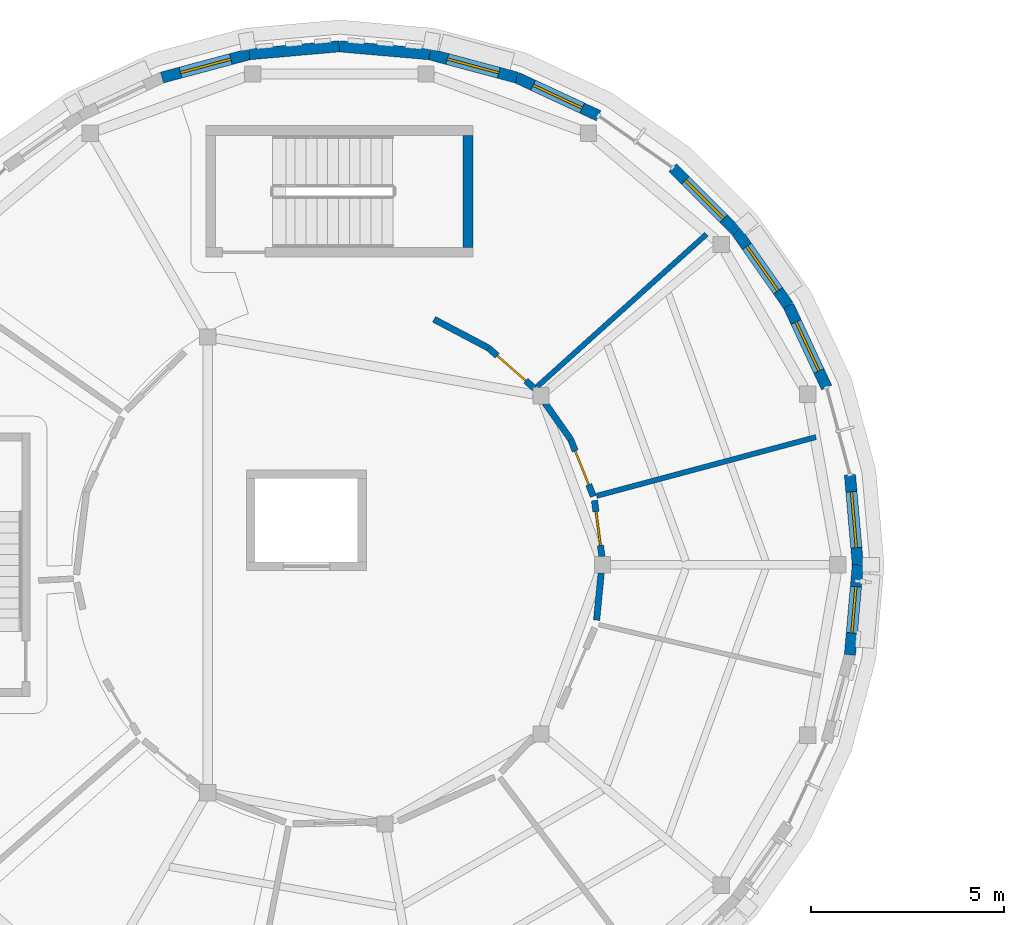
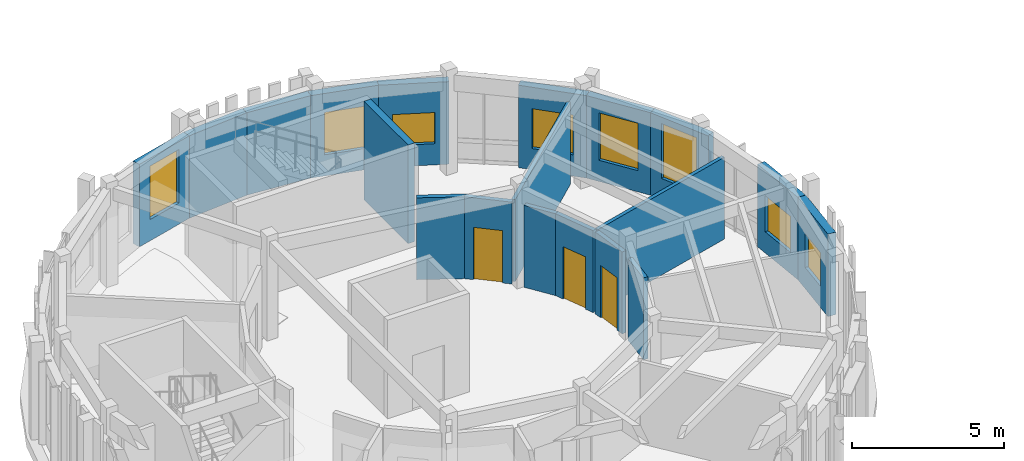
# One storey, part 52 of 80: 19 walls, 8 windows, 3 doors, 11 openings.
"""IFC4 building model written with IfcOpenShell, lengths in metres."""

from ifc_helpers import new_model, si_unit, direction, frame, frame_2d, origin, place, context, subcontext, project, spatial, rectangle, extrude, material, layer, layer_set, type_object, element, fill, save


model = new_model("IFC4")

# Units and contexts
model_context = context("Model", 3, precision=1e-05, world=origin(), true_north=direction((0.0, 1.0)))
body_context = subcontext(model_context, "Body", "Model", "MODEL_VIEW")
ifc_project = project(units=[si_unit("LENGTHUNIT", "METRE"), si_unit("AREAUNIT", "SQUARE_METRE"), si_unit("VOLUMEUNIT", "CUBIC_METRE"), si_unit("PLANEANGLEUNIT", "RADIAN"), si_unit("MASSUNIT", "GRAM", prefix="KILO")], contexts=[model_context])

# Site, building, storey
site_placement = place(None, origin())
site = spatial("IfcSite", under=ifc_project, at=site_placement, CompositionType="ELEMENT")
building_placement = place(site_placement, origin())
building = spatial("IfcBuilding", under=site, at=building_placement, Name="Aldenvaro Health Centre", CompositionType="ELEMENT")
storey_placement = place(building_placement, frame((0.0, 0.0, 4.550048828125)))
storey = spatial("IfcBuildingStorey", under=building, at=storey_placement, Name="L01", CompositionType="ELEMENT", Elevation=4.550048828125)

# Wall
ifc_material_1 = material(Name="Gypsum Stud Acoustic Assembly")
ifc_layer_1 = layer(ifc_material_1, 0.1650390625, Name="Gypsum Stud Acoustic Assembly")
ifc_layer_set_1 = layer_set([ifc_layer_1], Name="Gypsum Stud Acoustic Assembly")
wall_type_1 = type_object("IfcWallType", Name="WL-COR-165", PredefinedType="PARTITIONING", material=ifc_layer_set_1)
wall_1_placement = place(storey_placement, frame((25.14794921875, 98.069091796875, 0.0), z_axis=(0.0, 0.0, 1.0), x_axis=(0.097273334628, 0.995257704502, 0.0)))
element("IfcWall", 1, at=wall_1_placement, inside=storey, type_object=wall_type_1, Name="D4 L01 corridor wall 07.1", PredefinedType="PARTITIONING", context=body_context, shape_type="SweptSolid", body=[
    extrude(rectangle(XDim=1.224853515625, YDim=0.1650390625, at=frame_2d((0.6123046875, 0.0))), origin(), (0.0, 0.0, 1.0), 3.283935546875),
])

# Wall, opening, door
wall_2_placement = place(storey_placement, frame((25.285888671875, 99.714111328125, 0.0), z_axis=(0.0, 0.0, 1.0), x_axis=(-0.131375399625, 0.991332691065, 0.0)))
wall_2 = element("IfcWall", 2, at=wall_2_placement, inside=storey, type_object=wall_type_1, Name="D4 L01 corridor wall 07.2", PredefinedType="PARTITIONING", context=body_context, shape_type="SweptSolid", body=[
    extrude(rectangle(XDim=1.460693359375, YDim=0.1650390625, at=frame_2d((0.73046875, 0.0))), origin(), (0.0, 0.0, 1.0), 3.283935546875),
])
opening_1_placement = place(wall_2_placement, frame((0.2900390625, 0.0, 0.0)))
opening_1 = element("IfcOpeningElement", 3, at=opening_1_placement, cuts=wall_2, Name="Opening UD-01", PredefinedType="OPENING", context=body_context, shape_type="SweptSolid", body=[
    extrude(rectangle(XDim=0.8798828125, YDim=2.10009765625, at=frame_2d((0.43994140625, 1.050048828125))), frame((0.0, 0.092529296875, 0.0), z_axis=(0.0, -1.0, 0.0), x_axis=(1.0, 0.0, 0.0)), (0.0, 0.0, 1.0), 0.18505859375),
])
ifc_material_2 = material(Name="Clean Supply Store Door")
door_type_1 = type_object("IfcDoorType", Name="DR-STR-01", OperationType="NOTDEFINED", PredefinedType="DOOR", material=ifc_material_2)
door_1_placement = place(opening_1_placement, origin())
door_1 = element("IfcDoor", 4, at=door_1_placement, inside=storey, type_object=door_type_1, Name="Vaccine Refrigerator Alcove Door", OperationType="SINGLE_SWING_LEFT", OverallHeight=2.10009765625, OverallWidth=0.8798828125, PredefinedType="DOOR", context=body_context, shape_type="SweptSolid", body=[
    extrude(rectangle(XDim=0.8798828125, YDim=2.10009765625, at=frame_2d((0.43994140625, 1.050048828125))), frame((0.0, 0.02490234375, 0.0), z_axis=(0.0, -1.0, 0.0), x_axis=(1.0, 0.0, 0.0)), (0.0, 0.0, 1.0), 0.050048828125),
])
fill(opening_1, door_1)

wall_3_placement = place(storey_placement, frame((25.06591796875, 101.26904296875, 0.0), z_axis=(0.0, 0.0, 1.0), x_axis=(-0.371072882666, 0.928603745281, 0.0)))
wall_3 = element("IfcWall", 5, at=wall_3_placement, inside=storey, type_object=wall_type_1, Name="D4 L01 corridor wall 08.1", PredefinedType="PARTITIONING", context=body_context, shape_type="SweptSolid", body=[
    extrude(rectangle(XDim=1.589599609375, YDim=0.1650390625, at=frame_2d((0.794921875, 0.0))), origin(), (0.0, 0.0, 1.0), 3.283935546875),
])
opening_2_placement = place(wall_3_placement, frame((0.324951171875, 0.0, 0.0)))
opening_2 = element("IfcOpeningElement", 6, at=opening_2_placement, cuts=wall_3, Name="Opening WD-02", PredefinedType="OPENING", context=body_context, shape_type="SweptSolid", body=[
    extrude(rectangle(XDim=0.93994140625, YDim=2.10009765625, at=frame_2d((0.469970703125, 1.050048828125))), frame((0.0, 0.092529296875, 0.0), z_axis=(0.0, -1.0, 0.0), x_axis=(1.0, 0.0, 0.0)), (0.0, 0.0, 1.0), 0.18505859375),
])
ifc_material_3 = material(Name="Accessible Sanitary Laminate Door")
door_type_2 = type_object("IfcDoorType", Name="DR-WC-02", OperationType="NOTDEFINED", PredefinedType="DOOR", material=ifc_material_3)
door_2_placement = place(opening_2_placement, origin())
door_2 = element("IfcDoor", 7, at=door_2_placement, inside=storey, type_object=door_type_2, Name="Male Family WC Door", OperationType="SINGLE_SWING_RIGHT", OverallHeight=2.10009765625, OverallWidth=0.93994140625, PredefinedType="DOOR", context=body_context, shape_type="SweptSolid", body=[
    extrude(rectangle(XDim=0.93994140625, YDim=2.10009765625, at=frame_2d((0.469970703125, 1.050048828125))), frame((0.0, 0.02490234375, 0.0), z_axis=(0.0, -1.0, 0.0), x_axis=(1.0, 0.0, 0.0)), (0.0, 0.0, 1.0), 0.050048828125),
])
fill(opening_2, door_2)

# Wall
wall_4_placement = place(storey_placement, frame((24.47607421875, 102.7451171875, 0.0), z_axis=(0.0, 0.0, 1.0), x_axis=(-0.576683197599, 0.816967863265, 0.0)))
element("IfcWall", 8, at=wall_4_placement, inside=storey, type_object=wall_type_1, Name="D4 L01 corridor wall 08.2", PredefinedType="PARTITIONING", context=body_context, shape_type="SweptSolid", body=[
    extrude(rectangle(XDim=1.148193359375, YDim=0.1650390625, at=frame_2d((0.57421875, 0.0))), origin(), (0.0, 0.0, 1.0), 3.283935546875),
])

# Wall, opening, door
wall_5_placement = place(storey_placement, frame((23.547119140625, 104.056884765625, 0.0), z_axis=(0.0, 0.0, 1.0), x_axis=(-0.752129161003, 0.659015724523, 0.0)))
wall_5 = element("IfcWall", 9, at=wall_5_placement, inside=storey, type_object=wall_type_1, Name="D4 L01 corridor wall 09.1", PredefinedType="PARTITIONING", context=body_context, shape_type="SweptSolid", body=[
    extrude(rectangle(XDim=1.5888671875, YDim=0.1650390625, at=frame_2d((0.79443359375, 0.0))), origin(), (0.0, 0.0, 1.0), 3.283935546875),
])
opening_3_placement = place(wall_5_placement, frame((0.304931640625, 0.0, 0.0)))
opening_3 = element("IfcOpeningElement", 10, at=opening_3_placement, cuts=wall_5, Name="Opening WD-03", PredefinedType="OPENING", context=body_context, shape_type="SweptSolid", body=[
    extrude(rectangle(XDim=0.97998046875, YDim=2.10009765625, at=frame_2d((0.489990234375, 1.050048828125))), frame((0.0, 0.092529296875, 0.0), z_axis=(0.0, -1.0, 0.0), x_axis=(1.0, 0.0, 0.0)), (0.0, 0.0, 1.0), 0.18505859375),
])
ifc_material_4 = material(Name="Bariatric Accessible Sanitary Door")
door_type_3 = type_object("IfcDoorType", Name="DR-WC-03", OperationType="NOTDEFINED", PredefinedType="DOOR", material=ifc_material_4)
door_3_placement = place(opening_3_placement, origin())
door_3 = element("IfcDoor", 11, at=door_3_placement, inside=storey, type_object=door_type_3, Name="Female Family WC Door", OperationType="SINGLE_SWING_LEFT", OverallHeight=2.10009765625, OverallWidth=0.97998046875, PredefinedType="DOOR", context=body_context, shape_type="SweptSolid", body=[
    extrude(rectangle(XDim=0.97998046875, YDim=2.10009765625, at=frame_2d((0.489990234375, 1.050048828125))), frame((0.0, 0.02490234375, 0.0), z_axis=(0.0, -1.0, 0.0), x_axis=(1.0, 0.0, 0.0)), (0.0, 0.0, 1.0), 0.050048828125),
])
fill(opening_3, door_3)

# Wall
wall_6_placement = place(storey_placement, frame((22.35205078125, 105.10400390625, 0.0), z_axis=(0.0, 0.0, 1.0), x_axis=(-0.884668179212, 0.466221205749, 0.0)))
element("IfcWall", 12, at=wall_6_placement, inside=storey, type_object=wall_type_1, Name="D4 L01 corridor wall 09.2", PredefinedType="PARTITIONING", context=body_context, shape_type="SweptSolid", body=[
    extrude(rectangle(XDim=1.58935546875, YDim=0.1650390625, at=frame_2d((0.794677734375, 0.0))), origin(), (0.0, 0.0, 1.0), 3.283935546875),
])

# Wall, opening, window
ifc_material_5 = material(Name="Cross-laminated timber CLT E1", Category="wood")
ifc_layer_2 = layer(ifc_material_5, 0.2900390625, Name="Cross-laminated timber CLT E1", Category="wood")
ifc_layer_set_2 = layer_set([ifc_layer_2], Name="Cross-laminated timber CLT E1")
wall_type_2 = type_object("IfcWallType", Name="WL-EXT-290", PredefinedType="ELEMENTEDWALL", material=ifc_layer_set_2)
wall_7_placement = place(storey_placement, frame((31.89990234375, 99.5, 0.0), z_axis=(0.0, 0.0, 1.0), x_axis=(-0.087274565792, -0.996184295282, 0.0)))
wall_7 = element("IfcWall", 13, at=wall_7_placement, inside=storey, type_object=wall_type_2, Name="D4 L01 exterior wall 01", PredefinedType="ELEMENTEDWALL", context=body_context, shape_type="SweptSolid", body=[
    extrude(rectangle(XDim=2.3359375, YDim=0.2900390625, at=frame_2d((1.16796875, 0.0))), origin(), (0.0, 0.0, 1.0), 3.308837890625),
])
opening_4_placement = place(wall_7_placement, frame((0.568115234375, 0.0, 0.85009765625)))
opening_4 = element("IfcOpeningElement", 14, at=opening_4_placement, cuts=wall_7, Name="Opening W-36", PredefinedType="OPENING", context=body_context, shape_type="SweptSolid", body=[
    extrude(rectangle(XDim=1.199951171875, YDim=1.35009765625, at=frame_2d((0.60009765625, 0.675048828125))), frame((0.0, 0.155029296875, 0.0), z_axis=(0.0, -1.0, 0.0), x_axis=(1.0, 0.0, 0.0)), (0.0, 0.0, 1.0), 0.31005859375),
])
ifc_material_6 = material(Name="Thermally Broken Aluminium Low-E Glass", Category="aluminium")
window_type_1 = type_object("IfcWindowType", Name="WN-EXT-36", PartitioningType="SINGLE_PANEL", PredefinedType="WINDOW", material=ifc_material_6)
window_1_placement = place(opening_4_placement, origin())
window_1 = element("IfcWindow", 15, at=window_1_placement, inside=storey, type_object=window_type_1, Name="D4 L01 clinical window 01", OverallHeight=1.35009765625, OverallWidth=1.199951171875, PartitioningType="SINGLE_PANEL", PredefinedType="WINDOW", context=body_context, shape_type="SweptSolid", body=[
    extrude(rectangle(XDim=1.199951171875, YDim=1.35009765625, at=frame_2d((0.60009765625, 0.675048828125))), frame((0.0, 0.030029296875, 0.0), z_axis=(0.0, -1.0, 0.0), x_axis=(1.0, 0.0, 0.0)), (0.0, 0.0, 1.0), 0.06005859375),
])
fill(opening_4, window_1)

wall_8_placement = place(storey_placement, frame((13.9169921875, 112.092041015625, 0.0), z_axis=(0.0, 0.0, 1.0), x_axis=(0.965981166673, 0.258612423585, 0.0)))
wall_8 = element("IfcWall", 16, at=wall_8_placement, inside=storey, type_object=wall_type_2, Name="D4 L01 exterior wall 26", PredefinedType="ELEMENTEDWALL", context=body_context, shape_type="SweptSolid", body=[
    extrude(rectangle(XDim=2.33544921875, YDim=0.2900390625, at=frame_2d((1.167724609375, 0.0))), origin(), (0.0, 0.0, 1.0), 3.308837890625),
])
opening_5_placement = place(wall_8_placement, frame((0.492919921875, 0.0, 0.85009765625)))
opening_5 = element("IfcOpeningElement", 17, at=opening_5_placement, cuts=wall_8, Name="Opening W-53", PredefinedType="OPENING", context=body_context, shape_type="SweptSolid", body=[
    extrude(rectangle(XDim=1.35009765625, YDim=2.14990234375, at=frame_2d((0.675048828125, 1.074951171875))), frame((0.0, 0.155029296875, 0.0), z_axis=(0.0, -1.0, 0.0), x_axis=(1.0, 0.0, 0.0)), (0.0, 0.0, 1.0), 0.31005859375),
])
window_type_2 = type_object("IfcWindowType", Name="WN-EXT-53", PartitioningType="SINGLE_PANEL", PredefinedType="WINDOW", material=ifc_material_6)
window_2_placement = place(opening_5_placement, origin())
window_2 = element("IfcWindow", 18, at=window_2_placement, inside=storey, type_object=window_type_2, Name="D4 L01 clinical window 26", OverallHeight=2.14990234375, OverallWidth=1.35009765625, PartitioningType="SINGLE_PANEL", PredefinedType="WINDOW", context=body_context, shape_type="SweptSolid", body=[
    extrude(rectangle(XDim=1.35009765625, YDim=2.14990234375, at=frame_2d((0.675048828125, 1.074951171875))), frame((0.0, 0.030029296875, 0.0), z_axis=(0.0, -1.0, 0.0), x_axis=(1.0, 0.0, 0.0)), (0.0, 0.0, 1.0), 0.06005859375),
])
fill(opening_5, window_2)

# Walls
for number, where, z_axis, x_axis, name in (
    (19, (16.173095703125, 112.696044921875, 0.0), (0.0, 0.0, 1.0), (0.996184295282, 0.087274565792, 0.0), "D4 L01 exterior wall 27"),
    (20, (18.5, 112.89990234375, 0.0), (0.0, 0.0, 1.0), (0.996184295282, -0.087274565792, 0.0), "D4 L01 exterior wall 28"),
):
    element("IfcWall", number, at=place(storey_placement, frame(where, z_axis=z_axis, x_axis=x_axis)), inside=storey, type_object=wall_type_2, Name=name, PredefinedType="ELEMENTEDWALL", context=body_context, shape_type="SweptSolid", body=[
        extrude(rectangle(XDim=2.3359375, YDim=0.2900390625, at=frame_2d((1.16796875, 0.0))), origin(), (0.0, 0.0, 1.0), 3.308837890625),
    ])

# Wall, opening, window
wall_9_placement = place(storey_placement, frame((20.826904296875, 112.696044921875, 0.0), z_axis=(0.0, 0.0, 1.0), x_axis=(0.965981166673, -0.258612423585, 0.0)))
wall_9 = element("IfcWall", 21, at=wall_9_placement, inside=storey, type_object=wall_type_2, Name="D4 L01 exterior wall 29", PredefinedType="ELEMENTEDWALL", context=body_context, shape_type="SweptSolid", body=[
    extrude(rectangle(XDim=2.33544921875, YDim=0.2900390625, at=frame_2d((1.167724609375, 0.0))), origin(), (0.0, 0.0, 1.0), 3.308837890625),
])
opening_6_placement = place(wall_9_placement, frame((0.47802734375, 0.0, 0.85009765625)))
opening_6 = element("IfcOpeningElement", 22, at=opening_6_placement, cuts=wall_9, Name="Opening W-54", PredefinedType="OPENING", context=body_context, shape_type="SweptSolid", body=[
    extrude(rectangle(XDim=1.3798828125, YDim=1.699951171875, at=frame_2d((0.68994140625, 0.85009765625))), frame((0.0, 0.155029296875, 0.0), z_axis=(0.0, -1.0, 0.0), x_axis=(1.0, 0.0, 0.0)), (0.0, 0.0, 1.0), 0.31005859375),
])
window_type_3 = type_object("IfcWindowType", Name="WN-EXT-54", PartitioningType="SINGLE_PANEL", PredefinedType="WINDOW", material=ifc_material_6)
window_3_placement = place(opening_6_placement, origin())
window_3 = element("IfcWindow", 23, at=window_3_placement, inside=storey, type_object=window_type_3, Name="D4 L01 clinical window 29", OverallHeight=1.699951171875, OverallWidth=1.3798828125, PartitioningType="SINGLE_PANEL", PredefinedType="WINDOW", context=body_context, shape_type="SweptSolid", body=[
    extrude(rectangle(XDim=1.3798828125, YDim=1.699951171875, at=frame_2d((0.68994140625, 0.85009765625))), frame((0.0, 0.030029296875, 0.0), z_axis=(0.0, -1.0, 0.0), x_axis=(1.0, 0.0, 0.0)), (0.0, 0.0, 1.0), 0.06005859375),
])
fill(opening_6, window_3)

wall_10_placement = place(storey_placement, frame((23.0830078125, 112.092041015625, 0.0), z_axis=(0.0, 0.0, 1.0), x_axis=(0.906321946979, -0.422587894318, 0.0)))
wall_10 = element("IfcWall", 24, at=wall_10_placement, inside=storey, type_object=wall_type_2, Name="D4 L01 exterior wall 30", PredefinedType="ELEMENTEDWALL", context=body_context, shape_type="SweptSolid", body=[
    extrude(rectangle(XDim=2.335693359375, YDim=0.2900390625, at=frame_2d((1.16796875, 0.0))), origin(), (0.0, 0.0, 1.0), 3.308837890625),
])
opening_7_placement = place(wall_10_placement, frame((0.468017578125, 0.0, 0.85009765625)))
opening_7 = element("IfcOpeningElement", 25, at=opening_7_placement, cuts=wall_10, Name="Opening W-55", PredefinedType="OPENING", context=body_context, shape_type="SweptSolid", body=[
    extrude(rectangle(XDim=1.39990234375, YDim=1.25, at=frame_2d((0.699951171875, 0.625))), frame((0.0, 0.155029296875, 0.0), z_axis=(0.0, -1.0, 0.0), x_axis=(1.0, 0.0, 0.0)), (0.0, 0.0, 1.0), 0.31005859375),
])
window_type_4 = type_object("IfcWindowType", Name="WN-EXT-55", PartitioningType="SINGLE_PANEL", PredefinedType="WINDOW", material=ifc_material_6)
window_4_placement = place(opening_7_placement, origin())
window_4 = element("IfcWindow", 26, at=window_4_placement, inside=storey, type_object=window_type_4, Name="D4 L01 clinical window 30", OverallHeight=1.25, OverallWidth=1.39990234375, PartitioningType="SINGLE_PANEL", PredefinedType="WINDOW", context=body_context, shape_type="SweptSolid", body=[
    extrude(rectangle(XDim=1.39990234375, YDim=1.25, at=frame_2d((0.699951171875, 0.625))), frame((0.0, 0.030029296875, 0.0), z_axis=(0.0, -1.0, 0.0), x_axis=(1.0, 0.0, 0.0)), (0.0, 0.0, 1.0), 0.06005859375),
])
fill(opening_7, window_4)

wall_11_placement = place(storey_placement, frame((27.113037109375, 109.764892578125, 0.0), z_axis=(0.0, 0.0, 1.0), x_axis=(0.707106781187, -0.707106781187, 0.0)))
wall_11 = element("IfcWall", 27, at=wall_11_placement, inside=storey, type_object=wall_type_2, Name="D4 L01 exterior wall 32", PredefinedType="ELEMENTEDWALL", context=body_context, shape_type="SweptSolid", body=[
    extrude(rectangle(XDim=2.336181640625, YDim=0.2900390625, at=frame_2d((1.16796875, 0.0))), origin(), (0.0, 0.0, 1.0), 3.308837890625),
])
opening_8_placement = place(wall_11_placement, frame((0.468017578125, 0.0, 0.85009765625)))
opening_8 = element("IfcOpeningElement", 28, at=opening_8_placement, cuts=wall_11, Name="Opening W-56", PredefinedType="OPENING", context=body_context, shape_type="SweptSolid", body=[
    extrude(rectangle(XDim=1.39990234375, YDim=1.60009765625, at=frame_2d((0.699951171875, 0.800048828125))), frame((0.0, 0.155029296875, 0.0), z_axis=(0.0, -1.0, 0.0), x_axis=(1.0, 0.0, 0.0)), (0.0, 0.0, 1.0), 0.31005859375),
])
window_type_5 = type_object("IfcWindowType", Name="WN-EXT-56", PartitioningType="SINGLE_PANEL", PredefinedType="WINDOW", material=ifc_material_6)
window_5_placement = place(opening_8_placement, origin())
window_5 = element("IfcWindow", 29, at=window_5_placement, inside=storey, type_object=window_type_5, Name="D4 L01 clinical window 32", OverallHeight=1.60009765625, OverallWidth=1.39990234375, PartitioningType="SINGLE_PANEL", PredefinedType="WINDOW", context=body_context, shape_type="SweptSolid", body=[
    extrude(rectangle(XDim=1.39990234375, YDim=1.60009765625, at=frame_2d((0.699951171875, 0.800048828125))), frame((0.0, 0.030029296875, 0.0), z_axis=(0.0, -1.0, 0.0), x_axis=(1.0, 0.0, 0.0)), (0.0, 0.0, 1.0), 0.06005859375),
])
fill(opening_8, window_5)

wall_12_placement = place(storey_placement, frame((28.764892578125, 108.113037109375, 0.0), z_axis=(0.0, 0.0, 1.0), x_axis=(0.573728883722, -0.819045278347, 0.0)))
wall_12 = element("IfcWall", 30, at=wall_12_placement, inside=storey, type_object=wall_type_2, Name="D4 L01 exterior wall 33", PredefinedType="ELEMENTEDWALL", context=body_context, shape_type="SweptSolid", body=[
    extrude(rectangle(XDim=2.335693359375, YDim=0.2900390625, at=frame_2d((1.16796875, 0.0))), origin(), (0.0, 0.0, 1.0), 3.308837890625),
])
opening_9_placement = place(wall_12_placement, frame((0.468017578125, 0.0, 0.85009765625)))
opening_9 = element("IfcOpeningElement", 31, at=opening_9_placement, cuts=wall_12, Name="Opening W-57", PredefinedType="OPENING", context=body_context, shape_type="SweptSolid", body=[
    extrude(rectangle(XDim=1.39990234375, YDim=1.89990234375, at=frame_2d((0.699951171875, 0.949951171875))), frame((0.0, 0.155029296875, 0.0), z_axis=(0.0, -1.0, 0.0), x_axis=(1.0, 0.0, 0.0)), (0.0, 0.0, 1.0), 0.31005859375),
])
window_type_6 = type_object("IfcWindowType", Name="WN-EXT-57", PartitioningType="SINGLE_PANEL", PredefinedType="WINDOW", material=ifc_material_6)
window_6_placement = place(opening_9_placement, origin())
window_6 = element("IfcWindow", 32, at=window_6_placement, inside=storey, type_object=window_type_6, Name="D4 L01 clinical window 33", OverallHeight=1.89990234375, OverallWidth=1.39990234375, PartitioningType="SINGLE_PANEL", PredefinedType="WINDOW", context=body_context, shape_type="SweptSolid", body=[
    extrude(rectangle(XDim=1.39990234375, YDim=1.89990234375, at=frame_2d((0.699951171875, 0.949951171875))), frame((0.0, 0.030029296875, 0.0), z_axis=(0.0, -1.0, 0.0), x_axis=(1.0, 0.0, 0.0)), (0.0, 0.0, 1.0), 0.06005859375),
])
fill(opening_9, window_6)

wall_13_placement = place(storey_placement, frame((30.10498046875, 106.199951171875, 0.0), z_axis=(0.0, 0.0, 1.0), x_axis=(0.422587894318, -0.906321946979, 0.0)))
wall_13 = element("IfcWall", 33, at=wall_13_placement, inside=storey, type_object=wall_type_2, Name="D4 L01 exterior wall 34", PredefinedType="ELEMENTEDWALL", context=body_context, shape_type="SweptSolid", body=[
    extrude(rectangle(XDim=2.335693359375, YDim=0.2900390625, at=frame_2d((1.16796875, 0.0))), origin(), (0.0, 0.0, 1.0), 3.308837890625),
])
opening_10_placement = place(wall_13_placement, frame((0.468017578125, 0.0, 0.85009765625)))
opening_10 = element("IfcOpeningElement", 34, at=opening_10_placement, cuts=wall_13, Name="Opening W-58", PredefinedType="OPENING", context=body_context, shape_type="SweptSolid", body=[
    extrude(rectangle(XDim=1.39990234375, YDim=2.199951171875, at=frame_2d((0.699951171875, 1.10009765625))), frame((0.0, 0.155029296875, 0.0), z_axis=(0.0, -1.0, 0.0), x_axis=(1.0, 0.0, 0.0)), (0.0, 0.0, 1.0), 0.31005859375),
])
window_type_7 = type_object("IfcWindowType", Name="WN-EXT-58", PartitioningType="SINGLE_PANEL", PredefinedType="WINDOW", material=ifc_material_6)
window_7_placement = place(opening_10_placement, origin())
window_7 = element("IfcWindow", 35, at=window_7_placement, inside=storey, type_object=window_type_7, Name="D4 L01 clinical window 34", OverallHeight=2.199951171875, OverallWidth=1.39990234375, PartitioningType="SINGLE_PANEL", PredefinedType="WINDOW", context=body_context, shape_type="SweptSolid", body=[
    extrude(rectangle(XDim=1.39990234375, YDim=2.199951171875, at=frame_2d((0.699951171875, 1.10009765625))), frame((0.0, 0.030029296875, 0.0), z_axis=(0.0, -1.0, 0.0), x_axis=(1.0, 0.0, 0.0)), (0.0, 0.0, 1.0), 0.06005859375),
])
fill(opening_10, window_7)

wall_14_placement = place(storey_placement, frame((31.696044921875, 101.826904296875, 0.0), z_axis=(0.0, 0.0, 1.0), x_axis=(0.087274565792, -0.996184295282, 0.0)))
wall_14 = element("IfcWall", 36, at=wall_14_placement, inside=storey, type_object=wall_type_2, Name="D4 L01 exterior wall 36", PredefinedType="ELEMENTEDWALL", context=body_context, shape_type="SweptSolid", body=[
    extrude(rectangle(XDim=2.3359375, YDim=0.2900390625, at=frame_2d((1.16796875, 0.0))), origin(), (0.0, 0.0, 1.0), 3.308837890625),
])
opening_11_placement = place(wall_14_placement, frame((0.443115234375, 0.0, 0.85009765625)))
opening_11 = element("IfcOpeningElement", 37, at=opening_11_placement, cuts=wall_14, Name="Opening W-59", PredefinedType="OPENING", context=body_context, shape_type="SweptSolid", body=[
    extrude(rectangle(XDim=1.449951171875, YDim=1.449951171875, at=frame_2d((0.72509765625, 0.72509765625))), frame((0.0, 0.155029296875, 0.0), z_axis=(0.0, -1.0, 0.0), x_axis=(1.0, 0.0, 0.0)), (0.0, 0.0, 1.0), 0.31005859375),
])
window_type_8 = type_object("IfcWindowType", Name="WN-EXT-59", PartitioningType="SINGLE_PANEL", PredefinedType="WINDOW", material=ifc_material_6)
window_8_placement = place(opening_11_placement, origin())
window_8 = element("IfcWindow", 38, at=window_8_placement, inside=storey, type_object=window_type_8, Name="D4 L01 clinical window 36", OverallHeight=1.449951171875, OverallWidth=1.449951171875, PartitioningType="SINGLE_PANEL", PredefinedType="WINDOW", context=body_context, shape_type="SweptSolid", body=[
    extrude(rectangle(XDim=1.449951171875, YDim=1.449951171875, at=frame_2d((0.72509765625, 0.72509765625))), frame((0.0, 0.030029296875, 0.0), z_axis=(0.0, -1.0, 0.0), x_axis=(1.0, 0.0, 0.0)), (0.0, 0.0, 1.0), 0.06005859375),
])
fill(opening_11, window_8)

# Walls
ifc_material_7 = material(Name="Concrete f'c 40 MPa", Category="concrete")
ifc_layer_3 = layer(ifc_material_7, 0.25, Name="Concrete f'c 40 MPa", Category="concrete")
ifc_layer_set_3 = layer_set([ifc_layer_3], Name="Concrete f'c 40 MPa")
wall_type_3 = type_object("IfcWallType", Name="WL-SHAFT-250", PredefinedType="SHEAR", material=ifc_layer_set_3)
wall_15_placement = place(storey_placement, frame((21.824951171875, 107.699951171875, 0.0), z_axis=(0.0, 0.0, 1.0), x_axis=(0.0, 1.0, 0.0)))
element("IfcWall", 39, at=wall_15_placement, inside=storey, type_object=wall_type_3, Name="ST-07 L01 side core wall R", PredefinedType="SHEAR", context=body_context, shape_type="SweptSolid", body=[
    extrude(rectangle(XDim=2.900146484375, YDim=0.25, at=frame_2d((1.4501953125, 0.0))), origin(), (0.0, 0.0, 1.0), 3.954833984375),
])
ifc_material_8 = material(Name="Moisture-Resistant Plumbing Stud Wall")
ifc_layer_4 = layer(ifc_material_8, 0.135009765625, Name="Moisture-Resistant Plumbing Stud Wall")
ifc_layer_set_4 = layer_set([ifc_layer_4], Name="Moisture-Resistant Plumbing Stud Wall")
wall_type_4 = type_object("IfcWallType", Name="WL-WET-135", PredefinedType="PLUMBINGWALL", material=ifc_layer_set_4)
wall_16_placement = place(storey_placement, frame((25.14794921875, 101.281005859375, 0.0), z_axis=(0.0, 0.0, 1.0), x_axis=(0.96591239112, 0.258869180632, 0.0)))
element("IfcWall", 40, at=wall_16_placement, inside=storey, type_object=wall_type_4, Name="D4 L01 clinical partition 8.1", PredefinedType="PLUMBINGWALL", context=body_context, shape_type="SweptSolid", body=[
    extrude(rectangle(XDim=5.867919921875, YDim=0.135009765625, at=frame_2d((2.93408203125, 0.0))), origin(), (0.0, 0.0, 1.0), 3.283935546875),
])
wall_17_placement = place(storey_placement, frame((23.614990234375, 104.10595703125, 0.0), z_axis=(0.0, 0.0, 1.0), x_axis=(0.74317862928, 0.669093061525, 0.0)))
element("IfcWall", 41, at=wall_17_placement, inside=storey, type_object=wall_type_4, Name="D4 L01 clinical partition 9.1", PredefinedType="PLUMBINGWALL", context=body_context, shape_type="SweptSolid", body=[
    extrude(rectangle(XDim=5.885498046875, YDim=0.135009765625, at=frame_2d((2.94287109375, 0.0))), origin(), (0.0, 0.0, 1.0), 3.283935546875),
])

save(model, "model.ifc")
